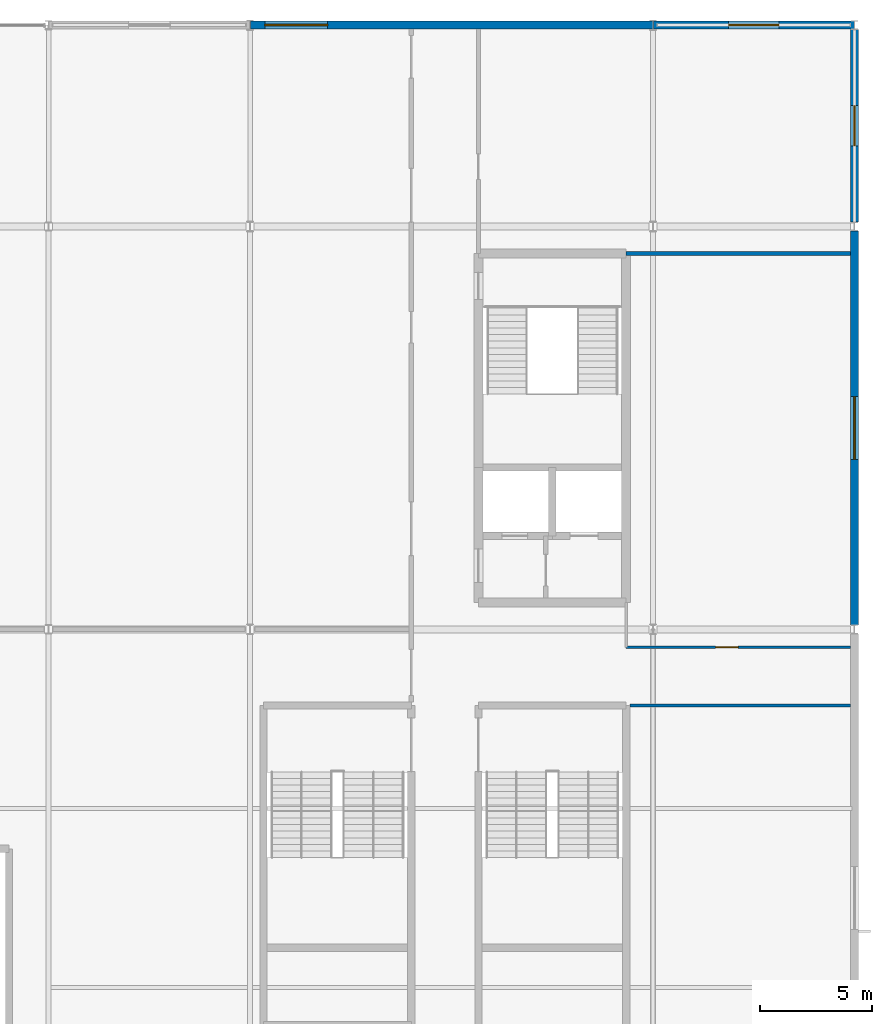
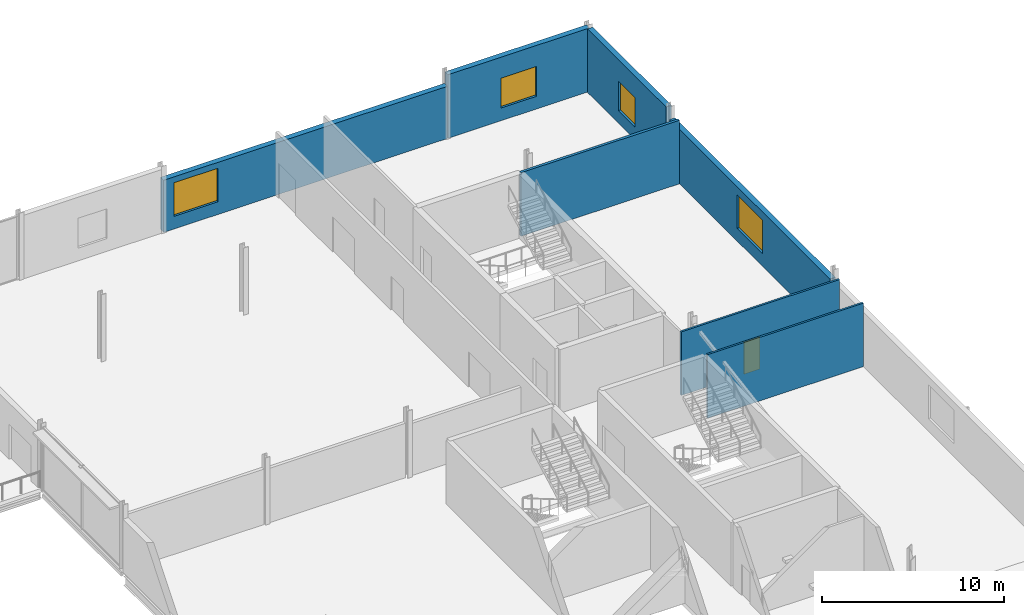
# One storey, part 46 of 73: 7 walls, 4 windows, 1 door, 5 openings.
"""IFC4 building model written with IfcOpenShell, lengths in metres."""

from ifc_helpers import new_model, si_unit, direction, frame, frame_2d, origin, place, context, subcontext, project, spatial, rectangle, extrude, material, layer, layer_set, type_object, element, fill, save


model = new_model("IFC4")

# Units and contexts
model_context = context("Model", 3, precision=1e-05, world=origin(), true_north=direction((0.0, 1.0)))
body_context = subcontext(model_context, "Body", "Model", "MODEL_VIEW")
ifc_project = project(units=[si_unit("LENGTHUNIT", "METRE"), si_unit("AREAUNIT", "SQUARE_METRE"), si_unit("VOLUMEUNIT", "CUBIC_METRE"), si_unit("PLANEANGLEUNIT", "RADIAN"), si_unit("MASSUNIT", "GRAM", prefix="KILO")], contexts=[model_context])

# Site, building, storey
site_placement = place(None, origin())
site = spatial("IfcSite", under=ifc_project, at=site_placement, CompositionType="ELEMENT")
building_placement = place(site_placement, origin())
building = spatial("IfcBuilding", under=site, at=building_placement, Name="Kisiwana Market Hall", CompositionType="ELEMENT")
storey_placement = place(building_placement, frame((0.0, 0.0, 33.300048828125)))
storey = spatial("IfcBuildingStorey", under=building, at=storey_placement, Name="L07", CompositionType="ELEMENT", Elevation=33.300048828125)

# Wall
ifc_material_1 = material(Name="Masonry blockwork", Category="masonry")
ifc_layer_1 = layer(ifc_material_1, 0.169921875, Name="Protected corridor partition")
ifc_layer_set_1 = layer_set([ifc_layer_1], Name="WL-CORR-170")
wall_type_1 = type_object("IfcWallType", Name="WL-CORR-170", PredefinedType="PARTITIONING", material=ifc_layer_set_1)
wall_1_placement = place(storey_placement, frame((187.800048828125, 100.800048828125, 0.0), z_axis=(0.0, 0.0, 1.0), x_axis=(1.0, 0.0, 0.0)))
element("IfcWall", 1, at=wall_1_placement, inside=storey, type_object=wall_type_1, Name="Interior partition W-2240", PredefinedType="PARTITIONING", context=body_context, shape_type="SweptSolid", body=[
    extrude(rectangle(XDim=10.030029296875, YDim=0.169921875, at=frame_2d((5.01513671875, 0.0))), origin(), (0.0, 0.0, 1.0), 4.2548828125),
])

# Wall, opening, window
ifc_material_2 = material(Name="Concrete C40/50 precast", Category="concrete")
ifc_layer_2 = layer(ifc_material_2, 0.14990234375, Name="Precast architectural concrete spandrel")
ifc_material_3 = material(Name="Mineral wool insulation")
ifc_layer_3 = layer(ifc_material_3, 0.090087890625, Name="Rockwool thermal insulation")
ifc_material_4 = material(Name="Masonry blockwork", Category="masonry")
ifc_layer_4 = layer(ifc_material_4, 0.10009765625, Name="Inner masonry block leaf")
ifc_layer_set_2 = layer_set([ifc_layer_2, ifc_layer_3, ifc_layer_4], Name="WL-EXT-PREC-340")
wall_type_2 = type_object("IfcWallType", Name="WL-EXT-PREC-340", PredefinedType="STANDARD", material=ifc_layer_set_2)
wall_2_placement = place(storey_placement, frame((171.010009765625, 111.0, 0.0), z_axis=(0.0, 0.0, 1.0), x_axis=(1.0, 0.0, 0.0)))
wall_2 = element("IfcWall", 2, at=wall_2_placement, inside=storey, type_object=wall_type_2, Name="Exterior wall W-2186", PredefinedType="STANDARD", context=body_context, shape_type="SweptSolid", body=[
    extrude(rectangle(XDim=17.97998046875, YDim=0.340087890625, at=frame_2d((8.989990234375, 0.0))), origin(), (0.0, 0.0, 1.0), 3.49267578125),
])
opening_1_placement = place(wall_2_placement, frame((0.64990234375, 0.0, 0.85009765625)))
opening_1 = element("IfcOpeningElement", 3, at=opening_1_placement, cuts=wall_2, Name="Opening WN-03", PredefinedType="OPENING", context=body_context, shape_type="SweptSolid", body=[
    extrude(rectangle(XDim=2.800048828125, YDim=2.25, at=frame_2d((1.39990234375, 1.125))), frame((0.0, 0.18212890625, 0.0), z_axis=(0.0, -1.0, 0.0), x_axis=(1.0, 0.0, 0.0)), (0.0, 0.0, 1.0), 0.364013671875),
])
ifc_material_5 = material(Name="Double-glazed solar-control low-E IGU", Category="glass")
window_type_1 = type_object("IfcWindowType", Name="WN-SKYB-2800x2250", PartitioningType="SINGLE_PANEL", PredefinedType="WINDOW", material=ifc_material_5)
window_1_placement = place(opening_1_placement, origin())
window_1 = element("IfcWindow", 4, at=window_1_placement, inside=storey, type_object=window_type_1, Name="Exterior window WN-217", OverallHeight=2.25, OverallWidth=2.800048828125, PartitioningType="SINGLE_PANEL", PredefinedType="WINDOW", context=body_context, shape_type="SweptSolid", body=[
    extrude(rectangle(XDim=2.800048828125, YDim=2.25, at=frame_2d((1.39990234375, 1.125))), frame((0.0, 0.030029296875, 0.0), z_axis=(0.0, -1.0, 0.0), x_axis=(1.0, 0.0, 0.0)), (0.0, 0.0, 1.0), 0.06005859375),
])
fill(opening_1, window_1)

wall_3_placement = place(storey_placement, frame((189.010009765625, 111.0, 0.0), z_axis=(0.0, 0.0, 1.0), x_axis=(1.0, 0.0, 0.0)))
wall_3 = element("IfcWall", 5, at=wall_3_placement, inside=storey, type_object=wall_type_2, Name="Exterior wall W-2187", PredefinedType="STANDARD", context=body_context, shape_type="SweptSolid", body=[
    extrude(rectangle(XDim=8.97998046875, YDim=0.340087890625, at=frame_2d((4.489990234375, 0.0))), origin(), (0.0, 0.0, 1.0), 4.2548828125),
])
opening_2_placement = place(wall_3_placement, frame((3.364990234375, 0.0, 0.85009765625)))
opening_2 = element("IfcOpeningElement", 6, at=opening_2_placement, cuts=wall_3, Name="Opening W-36", PredefinedType="OPENING", context=body_context, shape_type="SweptSolid", body=[
    extrude(rectangle(XDim=2.25, YDim=2.0, at=frame_2d((1.125, 1.0))), frame((0.0, 0.18212890625, 0.0), z_axis=(0.0, -1.0, 0.0), x_axis=(1.0, 0.0, 0.0)), (0.0, 0.0, 1.0), 0.364013671875),
])
ifc_material_6 = material(Name="Double-glazed solar-control low-E IGU", Category="glass")
window_type_2 = type_object("IfcWindowType", Name="WN-TWRC-2250x2000", PartitioningType="SINGLE_PANEL", PredefinedType="WINDOW", material=ifc_material_6)
window_2_placement = place(opening_2_placement, origin())
window_2 = element("IfcWindow", 7, at=window_2_placement, inside=storey, type_object=window_type_2, Name="Exterior window WN-210", OverallHeight=2.0, OverallWidth=2.25, PartitioningType="SINGLE_PANEL", PredefinedType="WINDOW", context=body_context, shape_type="SweptSolid", body=[
    extrude(rectangle(XDim=2.25, YDim=2.0, at=frame_2d((1.125, 1.0))), frame((0.0, 0.030029296875, 0.0), z_axis=(0.0, -1.0, 0.0), x_axis=(1.0, 0.0, 0.0)), (0.0, 0.0, 1.0), 0.06005859375),
])
fill(opening_2, window_2)

wall_4_placement = place(storey_placement, frame((198.0, 84.197998046875, 0.0), z_axis=(0.0, 0.0, 1.0), x_axis=(0.0, 1.0, 0.0)))
wall_4 = element("IfcWall", 8, at=wall_4_placement, inside=storey, type_object=wall_type_2, Name="Exterior wall W-2202", PredefinedType="STANDARD", context=body_context, shape_type="SweptSolid", body=[
    extrude(rectangle(XDim=17.60400390625, YDim=0.340087890625, at=frame_2d((8.802001953125, 0.0))), origin(), (0.0, 0.0, 1.0), 3.642822265625),
])
opening_3_placement = place(wall_4_placement, frame((7.402099609375, 0.0, 0.85009765625)))
opening_3 = element("IfcOpeningElement", 9, at=opening_3_placement, cuts=wall_4, Name="Opening WN-03", PredefinedType="OPENING", context=body_context, shape_type="SweptSolid", body=[
    extrude(rectangle(XDim=2.800048828125, YDim=2.25, at=frame_2d((1.39990234375, 1.125))), frame((0.0, 0.18212890625, 0.0), z_axis=(0.0, -1.0, 0.0), x_axis=(1.0, 0.0, 0.0)), (0.0, 0.0, 1.0), 0.364013671875),
])
window_3_placement = place(opening_3_placement, origin())
window_3 = element("IfcWindow", 10, at=window_3_placement, inside=storey, type_object=window_type_1, Name="Exterior window WN-226", OverallHeight=2.25, OverallWidth=2.800048828125, PartitioningType="SINGLE_PANEL", PredefinedType="WINDOW", context=body_context, shape_type="SweptSolid", body=[
    extrude(rectangle(XDim=2.800048828125, YDim=2.25, at=frame_2d((1.39990234375, 1.125))), frame((0.0, 0.030029296875, 0.0), z_axis=(0.0, -1.0, 0.0), x_axis=(1.0, 0.0, 0.0)), (0.0, 0.0, 1.0), 0.06005859375),
])
fill(opening_3, window_3)

wall_5_placement = place(storey_placement, frame((198.0, 102.197998046875, 0.0), z_axis=(0.0, 0.0, 1.0), x_axis=(0.0, 1.0, 0.0)))
wall_5 = element("IfcWall", 11, at=wall_5_placement, inside=storey, type_object=wall_type_2, Name="Exterior wall W-2203", PredefinedType="STANDARD", context=body_context, shape_type="SweptSolid", body=[
    extrude(rectangle(XDim=8.60400390625, YDim=0.340087890625, at=frame_2d((4.302001953125, 0.0))), origin(), (0.0, 0.0, 1.0), 4.2548828125),
])
opening_4_placement = place(wall_5_placement, frame((3.402099609375, 0.0, 0.85009765625)))
opening_4 = element("IfcOpeningElement", 12, at=opening_4_placement, cuts=wall_5, Name="Opening W-29", PredefinedType="OPENING", context=body_context, shape_type="SweptSolid", body=[
    extrude(rectangle(XDim=1.800048828125, YDim=1.949951171875, at=frame_2d((0.89990234375, 0.97509765625))), frame((0.0, 0.18212890625, 0.0), z_axis=(0.0, -1.0, 0.0), x_axis=(1.0, 0.0, 0.0)), (0.0, 0.0, 1.0), 0.364013671875),
])
ifc_material_7 = material(Name="Double-glazed solar-control low-E IGU", Category="glass")
window_type_3 = type_object("IfcWindowType", Name="WN-TWRA-1800x1950", PartitioningType="SINGLE_PANEL", PredefinedType="WINDOW", material=ifc_material_7)
window_4_placement = place(opening_4_placement, origin())
window_4 = element("IfcWindow", 13, at=window_4_placement, inside=storey, type_object=window_type_3, Name="Exterior window WN-207", OverallHeight=1.949951171875, OverallWidth=1.800048828125, PartitioningType="SINGLE_PANEL", PredefinedType="WINDOW", context=body_context, shape_type="SweptSolid", body=[
    extrude(rectangle(XDim=1.800048828125, YDim=1.949951171875, at=frame_2d((0.89990234375, 0.97509765625))), frame((0.0, 0.030029296875, 0.0), z_axis=(0.0, -1.0, 0.0), x_axis=(1.0, 0.0, 0.0)), (0.0, 0.0, 1.0), 0.06005859375),
])
fill(opening_4, window_4)

# Wall
ifc_material_8 = material(Name="Gypsum plasterboard")
ifc_layer_5 = layer(ifc_material_8, 0.125, Name="Double gypsum board + acoustic stud")
ifc_layer_set_3 = layer_set([ifc_layer_5], Name="WL-OFF-125")
wall_type_3 = type_object("IfcWallType", Name="WL-OFF-125", PredefinedType="PARTITIONING", material=ifc_layer_set_3)
wall_6_placement = place(storey_placement, frame((187.9599609375, 80.60009765625, 0.0), z_axis=(0.0, 0.0, 1.0), x_axis=(1.0, 0.0, 0.0)))
element("IfcWall", 14, at=wall_6_placement, inside=storey, type_object=wall_type_3, Name="Interior partition W-2243", PredefinedType="PARTITIONING", context=body_context, shape_type="SweptSolid", body=[
    extrude(rectangle(XDim=9.8701171875, YDim=0.125, at=frame_2d((4.93505859375, 0.0))), origin(), (0.0, 0.0, 1.0), 4.2548828125),
])

# Wall, opening, door
wall_7_placement = place(storey_placement, frame((187.800048828125, 83.199951171875, 0.0), z_axis=(0.0, 0.0, 1.0), x_axis=(1.0, 0.0, 0.0)))
wall_7 = element("IfcWall", 15, at=wall_7_placement, inside=storey, type_object=wall_type_3, Name="Interior partition W-2244", PredefinedType="PARTITIONING", context=body_context, shape_type="SweptSolid", body=[
    extrude(rectangle(XDim=10.030029296875, YDim=0.125, at=frame_2d((5.01513671875, 0.0))), origin(), (0.0, 0.0, 1.0), 4.2548828125),
])
opening_5_placement = place(wall_7_placement, frame((4.0, 0.0, 0.0)))
opening_5 = element("IfcOpeningElement", 16, at=opening_5_placement, cuts=wall_7, Name="Opening DR-L07-051", PredefinedType="OPENING", context=body_context, shape_type="SweptSolid", body=[
    extrude(rectangle(XDim=1.0, YDim=2.14990234375, at=frame_2d((0.5, 1.074951171875))), frame((0.0, 0.074462890625, 0.0), z_axis=(0.0, -1.0, 0.0), x_axis=(1.0, 0.0, 0.0)), (0.0, 0.0, 1.0), 0.14892578125),
])
ifc_material_9 = material(Name="Aluminium alloy 6063-T6", Category="aluminium")
door_type = type_object("IfcDoorType", Name="DR-OFF-1000", OperationType="NOTDEFINED", PredefinedType="DOOR", material=ifc_material_9)
door_placement = place(opening_5_placement, origin())
door = element("IfcDoor", 17, at=door_placement, inside=storey, type_object=door_type, Name="L07 E Commercial Office North Door", OperationType="SINGLE_SWING_LEFT", OverallHeight=2.14990234375, OverallWidth=1.0, PredefinedType="DOOR", context=body_context, shape_type="SweptSolid", body=[
    extrude(rectangle(XDim=1.0, YDim=2.14990234375, at=frame_2d((0.5, 1.074951171875))), frame((0.0, 0.02490234375, 0.0), z_axis=(0.0, -1.0, 0.0), x_axis=(1.0, 0.0, 0.0)), (0.0, 0.0, 1.0), 0.050048828125),
])
fill(opening_5, door)

save(model, "model.ifc")
